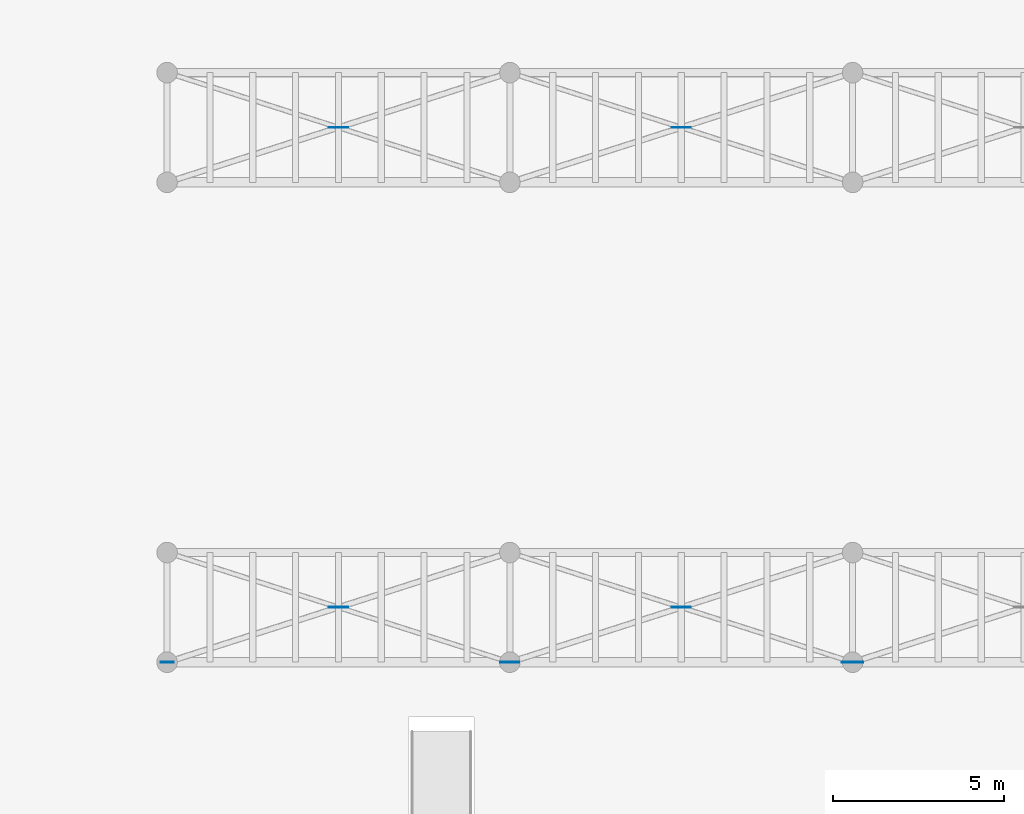
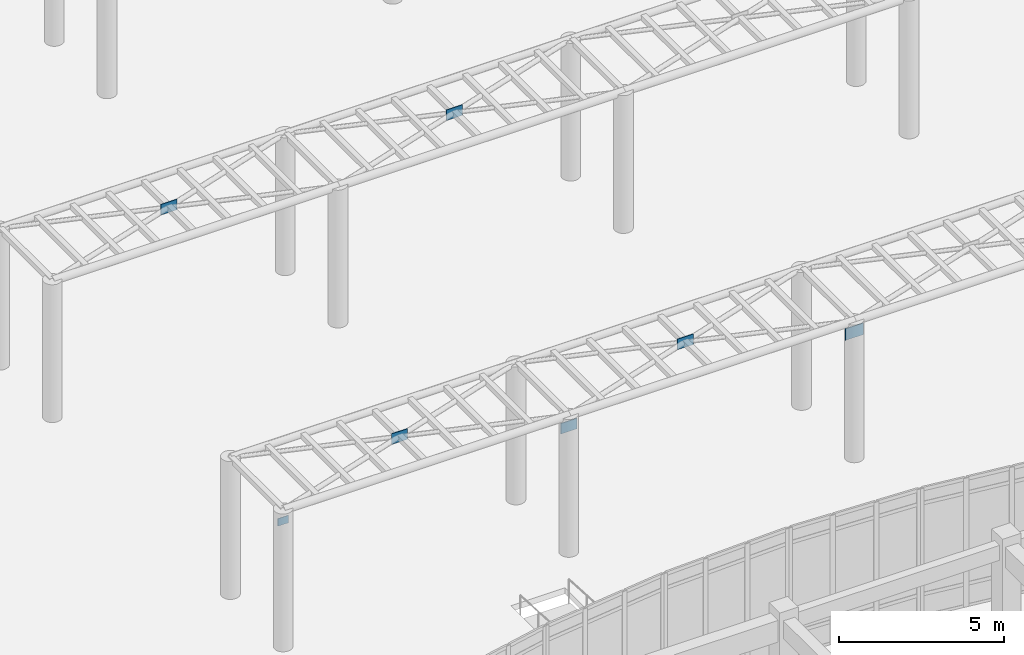
# One storey, part 91 of 121: 7 plates.
"""IFC4 building model written with IfcOpenShell, lengths in metres."""

from ifc_helpers import new_model, si_unit, direction, frame, origin, origin_2d, place, context, subcontext, project, spatial, rectangle, extrude, material, layer, layer_set, type_object, element, save


model = new_model("IFC4")

# Units and contexts
model_context = context("Model", 3, precision=1e-05, world=origin(), true_north=direction((0.0, 1.0)))
body_context = subcontext(model_context, "Body", "Model", "MODEL_VIEW")
ifc_project = project(units=[si_unit("LENGTHUNIT", "METRE"), si_unit("AREAUNIT", "SQUARE_METRE"), si_unit("VOLUMEUNIT", "CUBIC_METRE"), si_unit("PLANEANGLEUNIT", "RADIAN"), si_unit("MASSUNIT", "GRAM", prefix="KILO")], contexts=[model_context])

# Site, building, storey
site_placement = place(None, origin())
site = spatial("IfcSite", under=ifc_project, at=site_placement, CompositionType="ELEMENT")
building_placement = place(site_placement, origin())
building = spatial("IfcBuilding", under=site, at=building_placement, Name="Valcora Specialist Clinic", CompositionType="ELEMENT")
storey_placement = place(building_placement, origin())
storey = spatial("IfcBuildingStorey", under=building, at=storey_placement, Name="L00", CompositionType="ELEMENT", Elevation=0.0)

# Plates
ifc_material = material(Name="Steel ASTM A572 Grade 50", Category="steel")
ifc_layer_1 = layer(ifc_material, 0.01806640625)
ifc_layer_set_1 = layer_set([ifc_layer_1], Name="Steel ASTM A572 Grade 50")
plate_type_1 = type_object("IfcPlateType", Name="TY-PL-GS5", PredefinedType="USERDEFINED", material=ifc_layer_set_1)
plate_1_placement = place(storey_placement, frame((74.0, 34.0, 4.509765625), z_axis=(0.0, 0.0, 1.0), x_axis=(1.0, 0.0, 0.0)))
element("IfcPlate", 1, at=plate_1_placement, inside=storey, type_object=plate_type_1, Name="Pergola node gusset 4", ObjectType="GUSSET_PLATE", PredefinedType="USERDEFINED", context=body_context, shape_type="SweptSolid", body=[
    extrude(rectangle(XDim=0.3798828125, YDim=0.01806640625, at=origin_2d()), origin(), (0.0, 0.0, 1.0), 0.280029296875),
])
ifc_layer_2 = layer(ifc_material, 0.02294921875)
ifc_layer_set_2 = layer_set([ifc_layer_2], Name="Steel ASTM A572 Grade 50")
plate_type_2 = type_object("IfcPlateType", Name="TY-PL-GS6", PredefinedType="USERDEFINED", material=ifc_layer_set_2)
for number, where, z_axis, x_axis, name in (
    (2, (84.0, 34.0, 4.455078125), (0.0, 0.0, 1.0), (1.0, 0.0, 0.0), "Pergola node gusset 5"),
    (3, (79.0, 35.60009765625, 4.85498046875), (0.0, 0.0, 1.0), (1.0, 0.0, 0.0), "Pergola X-brace crossing gusset 74-34"),
    (4, (89.0, 35.60009765625, 4.85498046875), (0.0, 0.0, 1.0), (1.0, 0.0, 0.0), "Pergola X-brace crossing gusset 84-34"),
    (5, (79.0, 49.60009765625, 4.85498046875), (0.0, 0.0, 1.0), (1.0, 0.0, 0.0), "Pergola X-brace crossing gusset 74-48"),
    (6, (89.0, 49.60009765625, 4.85498046875), (0.0, 0.0, 1.0), (1.0, 0.0, 0.0), "Pergola X-brace crossing gusset 84-48"),
):
    element("IfcPlate", number, at=place(storey_placement, frame(where, z_axis=z_axis, x_axis=x_axis)), inside=storey, type_object=plate_type_2, Name=name, ObjectType="GUSSET_PLATE", PredefinedType="USERDEFINED", context=body_context, shape_type="SweptSolid", body=[
        extrude(rectangle(XDim=0.56005859375, YDim=0.02294921875, at=origin_2d()), origin(), (0.0, 0.0, 1.0), 0.389892578125),
    ])
ifc_layer_3 = layer(ifc_material, 0.02490234375)
ifc_layer_set_3 = layer_set([ifc_layer_3], Name="Steel ASTM A572 Grade 50")
plate_type_3 = type_object("IfcPlateType", Name="TY-PL-GS7", PredefinedType="USERDEFINED", material=ifc_layer_set_3)
plate_2_placement = place(storey_placement, frame((94.0, 34.0, 4.43505859375), z_axis=(0.0, 0.0, 1.0), x_axis=(1.0, 0.0, 0.0)))
element("IfcPlate", 7, at=plate_2_placement, inside=storey, type_object=plate_type_3, Name="Pergola node gusset 6", ObjectType="GUSSET_PLATE", PredefinedType="USERDEFINED", context=body_context, shape_type="SweptSolid", body=[
    extrude(rectangle(XDim=0.6298828125, YDim=0.02490234375, at=origin_2d()), origin(), (0.0, 0.0, 1.0), 0.429931640625),
])

save(model, "model.ifc")
